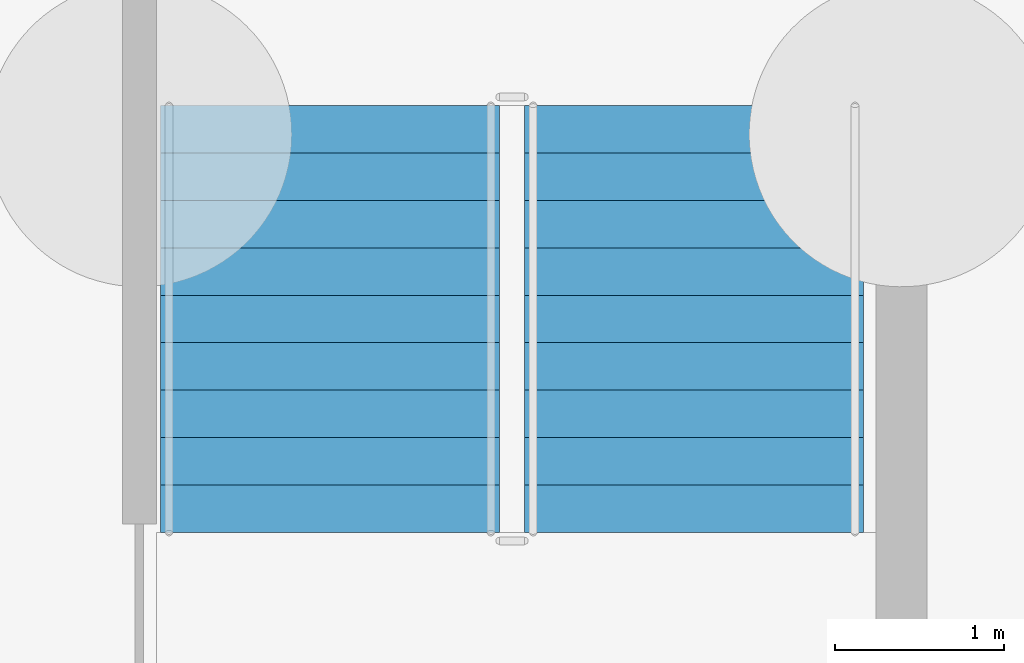
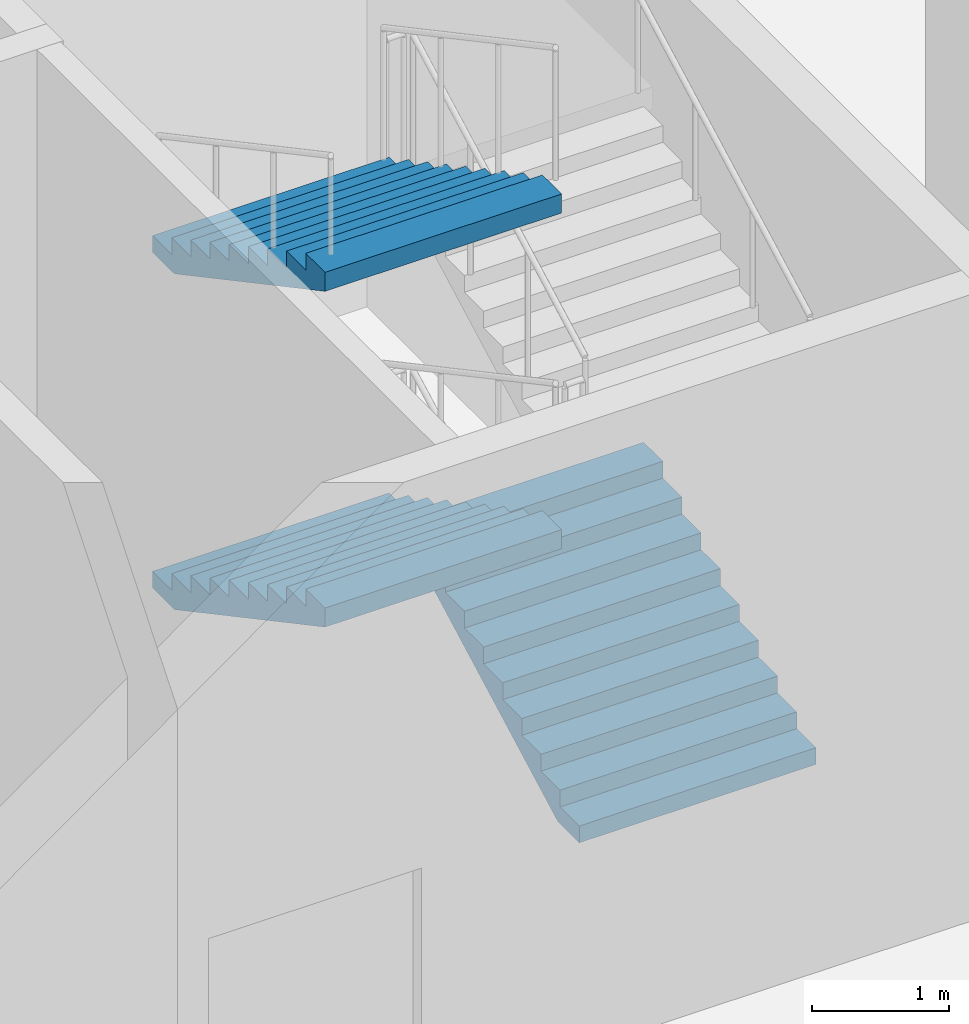
# One storey, part 12 of 25: 3 stair flights, 1 element without a shape of its own.
"""IFC4 building model written with IfcOpenShell, lengths in metres."""

import ifcopenshell
import ifcopenshell.guid

model = None  # the IFC model being written
_history = None  # IfcOwnerHistory: only IFC2X3 demands one
_inside = {}  # id of a spatial element -> (the spatial element, [elements in it])
_under = {}  # id of a project, library or spatial element -> (it, [spatial elements below it])
_declared = {}  # id of a project -> (the project, [libraries it declares])
_typed = {}  # id of a type object -> (the type object, [elements of that type])
_made_of = {}  # id of a material, layer set ... -> (it, [elements and type objects made of it])


def new_model(schema):
    """Start an empty IFC model of exactly this schema.

    Asked for "IFC4X3", IfcOpenShell would pick the latest addendum, in which some entities
    have other attributes; the version numbers below select the first issue.
    IFC2X3 requires an IfcOwnerHistory on every rooted entity: one is made here for all.
    """
    global model, _history
    if schema == "IFC4X3":
        model = ifcopenshell.file(schema_version=(4, 3, 0, 0))
    else:
        model = ifcopenshell.file(schema=schema)
    _inside.clear()
    _under.clear()
    _declared.clear()
    _typed.clear()
    _made_of.clear()
    _history = None
    if model.schema == "IFC2X3":
        org = make("IfcOrganization", Name="unknown")
        user = make(
            "IfcPersonAndOrganization",
            ThePerson=make("IfcPerson", FamilyName="unknown"),
            TheOrganization=org,
        )
        app = make(
            "IfcApplication",
            ApplicationDeveloper=org,
            Version="unknown",
            ApplicationFullName="unknown",
            ApplicationIdentifier="unknown",
        )
        _history = make(
            "IfcOwnerHistory",
            OwningUser=user,
            OwningApplication=app,
            ChangeAction="ADDED",
            CreationDate=0,
        )
    return model


def make(cls, **values):
    """One entity of the class cls with the attributes given. An attribute that is None is left unset."""
    return model.create_entity(
        cls, **{name: value for name, value in values.items() if value is not None}
    )


def rooted(cls, **values):
    """An entity with a GlobalId (a new one), such as an element, a storey or a relation."""
    return make(cls, GlobalId=ifcopenshell.guid.new(), OwnerHistory=_history, **values)


def si_unit(unit_type, name, prefix=None):
    """IfcSIUnit, for example si_unit("LENGTHUNIT", "METRE", prefix="MILLI")."""
    return make("IfcSIUnit", UnitType=unit_type, Prefix=prefix, Name=name)


def assignment(units):
    """IfcUnitAssignment: the units of a project."""
    return None if units is None else make("IfcUnitAssignment", Units=units)


def point(xyz):
    """IfcCartesianPoint."""
    return None if xyz is None else make("IfcCartesianPoint", Coordinates=xyz)


def direction(xyz):
    """IfcDirection."""
    return None if xyz is None else make("IfcDirection", DirectionRatios=xyz)


def frame(location, z_axis=None, x_axis=None):
    """IfcAxis2Placement3D, a coordinate frame: its origin and axes. An axis left out is left unset."""
    return make(
        "IfcAxis2Placement3D",
        Location=point(location),
        Axis=direction(z_axis),
        RefDirection=direction(x_axis),
    )


def origin():
    """The frame at (0, 0, 0) with its axes left unset."""
    return frame((0.0, 0.0, 0.0))


def place(relative_to, where):
    """IfcLocalPlacement: puts the frame where relative to a parent placement (None: the world)."""
    return make(
        "IfcLocalPlacement", PlacementRelTo=relative_to, RelativePlacement=where
    )


def context(
    kind, dimensions, precision=None, world=None, true_north=None, identifier=None
):
    """IfcGeometricRepresentationContext, for example the 3D "Model" context."""
    return make(
        "IfcGeometricRepresentationContext",
        ContextIdentifier=identifier,
        ContextType=kind,
        CoordinateSpaceDimension=dimensions,
        Precision=precision,
        WorldCoordinateSystem=world,
        TrueNorth=true_north,
    )


def subcontext(parent, identifier, kind, view, scale=None):
    """IfcGeometricRepresentationSubContext, for example "Body" below "Model"."""
    return make(
        "IfcGeometricRepresentationSubContext",
        ContextIdentifier=identifier,
        ContextType=kind,
        ParentContext=parent,
        TargetScale=scale,
        TargetView=view,
    )


def project(units=None, contexts=None):
    """IfcProject with its units and contexts."""
    return rooted(
        "IfcProject",
        Name="project",
        RepresentationContexts=contexts,
        UnitsInContext=assignment(units),
    )


def spatial(cls, under=None, at=None, **own):
    """A site, building, storey or space (cls), placed at a placement, below another one or the project."""
    s = rooted(cls, ObjectPlacement=at, **own)
    if under is not None:
        _under.setdefault(under.id(), (under, []))[1].append(s)
    return s


def point_list(points):
    """IfcCartesianPointList2D or 3D."""
    cls = (
        "IfcCartesianPointList2D" if len(points[0]) == 2 else "IfcCartesianPointList3D"
    )
    return make(cls, CoordList=points)


def polygons(points, faces, closed=None, point_numbers=None):
    """IfcPolygonalFaceSet: a face is its outer loop, then its inner loops; points numbered from 1."""
    made = []
    for loops in faces:
        if len(loops) == 1:
            made.append(make("IfcIndexedPolygonalFace", CoordIndex=loops[0]))
        else:
            made.append(
                make(
                    "IfcIndexedPolygonalFaceWithVoids",
                    CoordIndex=loops[0],
                    InnerCoordIndices=loops[1:],
                )
            )
    return make(
        "IfcPolygonalFaceSet",
        Coordinates=point_list(points),
        Closed=closed,
        Faces=made,
        PnIndex=point_numbers,
    )


def shape(context_of_items, identifier, shape_type, items):
    """IfcShapeRepresentation: the items that make up one representation, for example the "Body"."""
    return make(
        "IfcShapeRepresentation",
        ContextOfItems=context_of_items,
        RepresentationIdentifier=identifier,
        RepresentationType=shape_type,
        Items=items,
    )


def material(Name=None, Category=None):
    """IfcMaterial."""
    return make("IfcMaterial", Name=Name, Category=Category)


def made_of(thing, what):
    """Note that an element or type object is made of a material, layer set ...; save() writes the relation."""
    if what is not None:
        _made_of.setdefault(what.id(), (what, []))[1].append(thing)
    return thing


def type_object(cls, material=None, **own):
    """A type object (cls), such as IfcWallType, which elements share."""
    return made_of(rooted(cls, **own), material)


def element(
    cls,
    number,
    at=None,
    inside=None,
    cuts=None,
    type_object=None,
    material=None,
    context=None,
    identifier="Body",
    shape_type=None,
    held_by="IfcProductDefinitionShape",
    body=None,
    shapes=None,
    **own,
):
    """One element of the class cls, such as IfcWall. Its Tag is "e" and its number.

    at: its placement. inside: the storey or other place that contains it. cuts: it is an
    opening in that element (IfcRelVoidsElement). A single representation is given by context,
    identifier, shape_type and body (its items); several are given by shapes. held_by: the class
    of the entity that holds the representations. save() writes the other relations.
    """
    e = rooted(cls, Tag="e%d" % number, ObjectPlacement=at, **own)
    if body is not None:
        shapes = [shape(context, identifier, shape_type, body)]
    if shapes is not None:
        e.Representation = make(held_by, Representations=shapes)
    if inside is not None:
        _inside.setdefault(inside.id(), (inside, []))[1].append(e)
    if cuts is not None:
        rooted(
            "IfcRelVoidsElement", RelatingBuildingElement=cuts, RelatedOpeningElement=e
        )
    if type_object is not None:
        _typed.setdefault(type_object.id(), (type_object, []))[1].append(e)
    return made_of(e, material)


def aggregate(whole, parts):
    """IfcRelAggregates: a whole, such as a stair, and the parts it consists of."""
    return rooted("IfcRelAggregates", RelatingObject=whole, RelatedObjects=parts)


def save(model, path):
    """Write the relations noted so far, then the file.

    IfcRelAggregates (storeys below a building ...), IfcRelContainedInSpatialStructure (elements
    in a storey), IfcRelDefinesByType, IfcRelAssociatesMaterial and IfcRelDeclares: one each for
    every whole, place, type object, material and project.
    """
    for whole, parts in _under.values():
        aggregate(whole, parts)
    for where, things in _inside.values():
        rooted(
            "IfcRelContainedInSpatialStructure",
            RelatedElements=things,
            RelatingStructure=where,
        )
    for kind, things in _typed.values():
        rooted("IfcRelDefinesByType", RelatedObjects=things, RelatingType=kind)
    for what, things in _made_of.values():
        rooted("IfcRelAssociatesMaterial", RelatedObjects=things, RelatingMaterial=what)
    for by, libraries in _declared.values():
        rooted("IfcRelDeclares", RelatingContext=by, RelatedDefinitions=libraries)
    model.write(path)


model = new_model("IFC4")

# Units and contexts
model_context = context("Model", 3, precision=1e-05, world=origin(), true_north=direction((0.0, 1.0)))
body_context = subcontext(model_context, "Body", "Model", "MODEL_VIEW")
ifc_project = project(units=[si_unit("LENGTHUNIT", "METRE"), si_unit("AREAUNIT", "SQUARE_METRE"), si_unit("VOLUMEUNIT", "CUBIC_METRE"), si_unit("PLANEANGLEUNIT", "RADIAN"), si_unit("MASSUNIT", "GRAM", prefix="KILO")], contexts=[model_context])

# Site, building, storey
site_placement = place(None, origin())
site = spatial("IfcSite", under=ifc_project, at=site_placement, CompositionType="ELEMENT")
building_placement = place(site_placement, origin())
building = spatial("IfcBuilding", under=site, at=building_placement, Name="Caravel Reach Hotel and Residences", CompositionType="ELEMENT")
storey_placement = place(building_placement, frame((0.0, 0.0, -6.0)))
storey = spatial("IfcBuildingStorey", under=building, at=storey_placement, Name="B1", CompositionType="ELEMENT", Elevation=-6.0)

# Stair, stair flights
ifc_material_1 = material(Name="Concrete C40", Category="concrete")
stair_type = type_object("IfcStairType", Name="Core stair", PredefinedType="HALF_TURN_STAIR", material=ifc_material_1)
stair_placement = place(storey_placement, origin())
stair = element("IfcStair", 1, at=stair_placement, inside=storey, type_object=stair_type, Name="B1 Exit stair B", PredefinedType="HALF_TURN_STAIR")
ifc_material_2 = material(Name="Concrete C40", Category="concrete")
stair_flight_type = type_object("IfcStairFlightType", Name="Core stair flight", PredefinedType="STRAIGHT", material=ifc_material_2)
stair_flight_1_placement = place(storey_placement, frame((43.77490234375, 24.64990234375, 0.0), z_axis=(0.0, 0.0, 1.0), x_axis=(0.0, 1.0, 0.0)))
stair_flight_1 = element("IfcStairFlight", 2, at=stair_flight_1_placement, type_object=stair_flight_type, Name="ST-B flight 1", NumberOfRisers=10, NumberOfTreads=9, PredefinedType="STRAIGHT", RiserHeight=0.15, TreadLength=0.28, context=body_context, shape_type="Tessellation", body=[
    polygons([(0.3174408016601862, 1.0, 0.0), (0.3174408016601862, 0.6666666666666667, 0.0), (0.3174408016601862, 0.33333333333333337, 0.0), (0.3174408016601862, 0.0, 0.0), (0.3174408016601862, -0.33333333333333326, 0.0), (0.3174408016601862, -0.6666666666666667, 0.0), (0.3174408016601862, -1.0, 0.0), (2.5210000000000004, 1.0, 1.1799424276820432), (2.5210000000000004, 0.6666666666666667, 1.1799424276820432), (2.5210000000000004, 0.33333333333333337, 1.1799424276820432), (2.5210000000000004, 0.0, 1.1799424276820432), (2.5210000000000004, -0.33333333333333326, 1.1799424276820432), (2.5210000000000004, -0.6666666666666667, 1.1799424276820432), (2.5210000000000004, -1.0, 1.1799424276820432), (2.5210000000000004, 1.0, 1.3499999999999999), (2.5210000000000004, 0.6666666666666667, 1.3499999999999999), (2.5210000000000004, 0.33333333333333337, 1.3499999999999999), (2.5210000000000004, 0.0, 1.3499999999999999), (2.5210000000000004, -0.33333333333333326, 1.3499999999999999), (2.5210000000000004, -0.6666666666666667, 1.3499999999999999), (2.5210000000000004, -1.0, 1.3499999999999999), (2.24, 1.0, 1.3499999999999999), (2.24, 0.6666666666666667, 1.3499999999999999), (2.24, 0.33333333333333337, 1.3499999999999999), (2.24, 0.0, 1.3499999999999999), (2.24, -0.33333333333333326, 1.3499999999999999), (2.24, -0.6666666666666667, 1.3499999999999999), (2.24, -1.0, 1.3499999999999999), (2.24, 1.0, 1.2), (2.24, 0.6666666666666667, 1.2), (2.24, 0.33333333333333337, 1.2), (2.24, 0.0, 1.2), (2.24, -0.33333333333333326, 1.2), (2.24, -0.6666666666666667, 1.2), (2.24, -1.0, 1.2), (1.9600000000000002, 1.0, 1.2), (1.9600000000000002, 0.6666666666666667, 1.2), (1.9600000000000002, 0.33333333333333337, 1.2), (1.9600000000000002, 0.0, 1.2), (1.9600000000000002, -0.33333333333333326, 1.2), (1.9600000000000002, -0.6666666666666667, 1.2), (1.9600000000000002, -1.0, 1.2), (1.9600000000000002, 1.0, 1.05), (1.9600000000000002, 0.6666666666666667, 1.05), (1.9600000000000002, 0.33333333333333337, 1.05), (1.9600000000000002, 0.0, 1.05), (1.9600000000000002, -0.33333333333333326, 1.05), (1.9600000000000002, -0.6666666666666667, 1.05), (1.9600000000000002, -1.0, 1.05), (1.6800000000000002, 1.0, 1.05), (1.6800000000000002, 0.6666666666666667, 1.05), (1.6800000000000002, 0.33333333333333337, 1.05), (1.6800000000000002, 0.0, 1.05), (1.6800000000000002, -0.33333333333333326, 1.05), (1.6800000000000002, -0.6666666666666667, 1.05), (1.6800000000000002, -1.0, 1.05), (1.6800000000000002, 1.0, 0.8999999999999999), (1.6800000000000002, 0.6666666666666667, 0.8999999999999999), (1.6800000000000002, 0.33333333333333337, 0.8999999999999999), (1.6800000000000002, 0.0, 0.8999999999999999), (1.6800000000000002, -0.33333333333333326, 0.8999999999999999), (1.6800000000000002, -0.6666666666666667, 0.8999999999999999), (1.6800000000000002, -1.0, 0.8999999999999999), (1.4000000000000001, 1.0, 0.8999999999999999), (1.4000000000000001, 0.6666666666666667, 0.8999999999999999), (1.4000000000000001, 0.33333333333333337, 0.8999999999999999), (1.4000000000000001, 0.0, 0.8999999999999999), (1.4000000000000001, -0.33333333333333326, 0.8999999999999999), (1.4000000000000001, -0.6666666666666667, 0.8999999999999999), (1.4000000000000001, -1.0, 0.8999999999999999), (1.4000000000000001, 1.0, 0.75), (1.4000000000000001, 0.6666666666666667, 0.75), (1.4000000000000001, 0.33333333333333337, 0.75), (1.4000000000000001, 0.0, 0.75), (1.4000000000000001, -0.33333333333333326, 0.75), (1.4000000000000001, -0.6666666666666667, 0.75), (1.4000000000000001, -1.0, 0.75), (1.12, 1.0, 0.75), (1.12, 0.6666666666666667, 0.75), (1.12, 0.33333333333333337, 0.75), (1.12, 0.0, 0.75), (1.12, -0.33333333333333326, 0.75), (1.12, -0.6666666666666667, 0.75), (1.12, -1.0, 0.75), (1.12, 1.0, 0.6), (1.12, 0.6666666666666667, 0.6), (1.12, 0.33333333333333337, 0.6), (1.12, 0.0, 0.6), (1.12, -0.33333333333333326, 0.6), (1.12, -0.6666666666666667, 0.6), (1.12, -1.0, 0.6), (0.8400000000000001, 1.0, 0.6), (0.8400000000000001, 0.6666666666666667, 0.6), (0.8400000000000001, 0.33333333333333337, 0.6), (0.8400000000000001, 0.0, 0.6), (0.8400000000000001, -0.33333333333333326, 0.6), (0.8400000000000001, -0.6666666666666667, 0.6), (0.8400000000000001, -1.0, 0.6), (0.8400000000000001, 1.0, 0.44999999999999996), (0.8400000000000001, 0.6666666666666667, 0.44999999999999996), (0.8400000000000001, 0.33333333333333337, 0.44999999999999996), (0.8400000000000001, 0.0, 0.44999999999999996), (0.8400000000000001, -0.33333333333333326, 0.44999999999999996), (0.8400000000000001, -0.6666666666666667, 0.44999999999999996), (0.8400000000000001, -1.0, 0.44999999999999996), (0.56, 1.0, 0.44999999999999996), (0.56, 0.6666666666666667, 0.44999999999999996), (0.56, 0.33333333333333337, 0.44999999999999996), (0.56, 0.0, 0.44999999999999996), (0.56, -0.33333333333333326, 0.44999999999999996), (0.56, -0.6666666666666667, 0.44999999999999996), (0.56, -1.0, 0.44999999999999996), (0.56, 1.0, 0.3), (0.56, 0.6666666666666667, 0.3), (0.56, 0.33333333333333337, 0.3), (0.56, 0.0, 0.3), (0.56, -0.33333333333333326, 0.3), (0.56, -0.6666666666666667, 0.3), (0.56, -1.0, 0.3), (0.28, 1.0, 0.3), (0.28, 0.6666666666666667, 0.3), (0.28, 0.33333333333333337, 0.3), (0.28, 0.0, 0.3), (0.28, -0.33333333333333326, 0.3), (0.28, -0.6666666666666667, 0.3), (0.28, -1.0, 0.3), (0.28, 1.0, 0.15), (0.28, 0.6666666666666667, 0.15), (0.28, 0.33333333333333337, 0.15), (0.28, 0.0, 0.15), (0.28, -0.33333333333333326, 0.15), (0.28, -0.6666666666666667, 0.15), (0.28, -1.0, 0.15), (-0.001, 1.0, 0.15), (-0.001, 0.6666666666666667, 0.15), (-0.001, 0.33333333333333337, 0.15), (-0.001, 0.0, 0.15), (-0.001, -0.33333333333333326, 0.15), (-0.001, -0.6666666666666667, 0.15), (-0.001, -1.0, 0.15), (-0.001, 1.0, 0.0), (-0.001, 0.6666666666666667, 0.0), (-0.001, 0.33333333333333337, 0.0), (-0.001, 0.0, 0.0), (-0.001, -0.33333333333333326, 0.0), (-0.001, -0.6666666666666667, 0.0), (-0.001, -1.0, 0.0)], [[[141, 134, 127, 120, 113, 106, 99, 92, 85, 78, 71, 64, 57, 50, 43, 36, 29, 22, 15, 8, 1]], [[7, 14, 21, 28, 35, 42, 49, 56, 63, 70, 77, 84, 91, 98, 105, 112, 119, 126, 133, 140, 147]], [[1, 8, 9, 2]], [[2, 9, 10, 3]], [[3, 10, 11, 4]], [[4, 11, 12, 5]], [[5, 12, 13, 6]], [[6, 13, 14, 7]], [[8, 15, 16, 9]], [[9, 16, 17, 10]], [[10, 17, 18, 11]], [[11, 18, 19, 12]], [[12, 19, 20, 13]], [[13, 20, 21, 14]], [[15, 22, 23, 16]], [[16, 23, 24, 17]], [[17, 24, 25, 18]], [[18, 25, 26, 19]], [[19, 26, 27, 20]], [[20, 27, 28, 21]], [[22, 29, 30, 23]], [[23, 30, 31, 24]], [[24, 31, 32, 25]], [[25, 32, 33, 26]], [[26, 33, 34, 27]], [[27, 34, 35, 28]], [[29, 36, 37, 30]], [[30, 37, 38, 31]], [[31, 38, 39, 32]], [[32, 39, 40, 33]], [[33, 40, 41, 34]], [[34, 41, 42, 35]], [[36, 43, 44, 37]], [[37, 44, 45, 38]], [[38, 45, 46, 39]], [[39, 46, 47, 40]], [[40, 47, 48, 41]], [[41, 48, 49, 42]], [[43, 50, 51, 44]], [[44, 51, 52, 45]], [[45, 52, 53, 46]], [[46, 53, 54, 47]], [[47, 54, 55, 48]], [[48, 55, 56, 49]], [[50, 57, 58, 51]], [[51, 58, 59, 52]], [[52, 59, 60, 53]], [[53, 60, 61, 54]], [[54, 61, 62, 55]], [[55, 62, 63, 56]], [[57, 64, 65, 58]], [[58, 65, 66, 59]], [[59, 66, 67, 60]], [[60, 67, 68, 61]], [[61, 68, 69, 62]], [[62, 69, 70, 63]], [[64, 71, 72, 65]], [[65, 72, 73, 66]], [[66, 73, 74, 67]], [[67, 74, 75, 68]], [[68, 75, 76, 69]], [[69, 76, 77, 70]], [[71, 78, 79, 72]], [[72, 79, 80, 73]], [[73, 80, 81, 74]], [[74, 81, 82, 75]], [[75, 82, 83, 76]], [[76, 83, 84, 77]], [[78, 85, 86, 79]], [[79, 86, 87, 80]], [[80, 87, 88, 81]], [[81, 88, 89, 82]], [[82, 89, 90, 83]], [[83, 90, 91, 84]], [[85, 92, 93, 86]], [[86, 93, 94, 87]], [[87, 94, 95, 88]], [[88, 95, 96, 89]], [[89, 96, 97, 90]], [[90, 97, 98, 91]], [[92, 99, 100, 93]], [[93, 100, 101, 94]], [[94, 101, 102, 95]], [[95, 102, 103, 96]], [[96, 103, 104, 97]], [[97, 104, 105, 98]], [[99, 106, 107, 100]], [[100, 107, 108, 101]], [[101, 108, 109, 102]], [[102, 109, 110, 103]], [[103, 110, 111, 104]], [[104, 111, 112, 105]], [[106, 113, 114, 107]], [[107, 114, 115, 108]], [[108, 115, 116, 109]], [[109, 116, 117, 110]], [[110, 117, 118, 111]], [[111, 118, 119, 112]], [[113, 120, 121, 114]], [[114, 121, 122, 115]], [[115, 122, 123, 116]], [[116, 123, 124, 117]], [[117, 124, 125, 118]], [[118, 125, 126, 119]], [[120, 127, 128, 121]], [[121, 128, 129, 122]], [[122, 129, 130, 123]], [[123, 130, 131, 124]], [[124, 131, 132, 125]], [[125, 132, 133, 126]], [[127, 134, 135, 128]], [[128, 135, 136, 129]], [[129, 136, 137, 130]], [[130, 137, 138, 131]], [[131, 138, 139, 132]], [[132, 139, 140, 133]], [[134, 141, 142, 135]], [[135, 142, 143, 136]], [[136, 143, 144, 137]], [[137, 144, 145, 138]], [[138, 145, 146, 139]], [[139, 146, 147, 140]], [[141, 1, 2, 142]], [[142, 2, 3, 143]], [[143, 3, 4, 144]], [[144, 4, 5, 145]], [[145, 5, 6, 146]], [[146, 6, 7, 147]]], closed=True),
])
stair_flight_2_placement = place(storey_placement, frame((41.625, 27.169921875, 1.5), z_axis=(0.0, 0.0, 1.0), x_axis=(0.0, -1.0, 0.0)))
stair_flight_2 = element("IfcStairFlight", 3, at=stair_flight_2_placement, type_object=stair_flight_type, Name="ST-B flight 2", NumberOfRisers=10, NumberOfTreads=9, PredefinedType="STRAIGHT", RiserHeight=0.15, TreadLength=0.28, context=body_context, shape_type="Tessellation", body=[
    polygons([(0.3174408016601862, 1.0, 0.0), (0.3174408016601862, 0.6666666666666667, 0.0), (0.3174408016601862, 0.33333333333333337, 0.0), (0.3174408016601862, 0.0, 0.0), (0.3174408016601862, -0.33333333333333326, 0.0), (0.3174408016601862, -0.6666666666666667, 0.0), (0.3174408016601862, -1.0, 0.0), (2.5210000000000004, 1.0, 1.1799424276820432), (2.5210000000000004, 0.6666666666666667, 1.1799424276820432), (2.5210000000000004, 0.33333333333333337, 1.1799424276820432), (2.5210000000000004, 0.0, 1.1799424276820432), (2.5210000000000004, -0.33333333333333326, 1.1799424276820432), (2.5210000000000004, -0.6666666666666667, 1.1799424276820432), (2.5210000000000004, -1.0, 1.1799424276820432), (2.5210000000000004, 1.0, 1.3499999999999999), (2.5210000000000004, 0.6666666666666667, 1.3499999999999999), (2.5210000000000004, 0.33333333333333337, 1.3499999999999999), (2.5210000000000004, 0.0, 1.3499999999999999), (2.5210000000000004, -0.33333333333333326, 1.3499999999999999), (2.5210000000000004, -0.6666666666666667, 1.3499999999999999), (2.5210000000000004, -1.0, 1.3499999999999999), (2.24, 1.0, 1.3499999999999999), (2.24, 0.6666666666666667, 1.3499999999999999), (2.24, 0.33333333333333337, 1.3499999999999999), (2.24, 0.0, 1.3499999999999999), (2.24, -0.33333333333333326, 1.3499999999999999), (2.24, -0.6666666666666667, 1.3499999999999999), (2.24, -1.0, 1.3499999999999999), (2.24, 1.0, 1.2), (2.24, 0.6666666666666667, 1.2), (2.24, 0.33333333333333337, 1.2), (2.24, 0.0, 1.2), (2.24, -0.33333333333333326, 1.2), (2.24, -0.6666666666666667, 1.2), (2.24, -1.0, 1.2), (1.9600000000000002, 1.0, 1.2), (1.9600000000000002, 0.6666666666666667, 1.2), (1.9600000000000002, 0.33333333333333337, 1.2), (1.9600000000000002, 0.0, 1.2), (1.9600000000000002, -0.33333333333333326, 1.2), (1.9600000000000002, -0.6666666666666667, 1.2), (1.9600000000000002, -1.0, 1.2), (1.9600000000000002, 1.0, 1.05), (1.9600000000000002, 0.6666666666666667, 1.05), (1.9600000000000002, 0.33333333333333337, 1.05), (1.9600000000000002, 0.0, 1.05), (1.9600000000000002, -0.33333333333333326, 1.05), (1.9600000000000002, -0.6666666666666667, 1.05), (1.9600000000000002, -1.0, 1.05), (1.6800000000000002, 1.0, 1.05), (1.6800000000000002, 0.6666666666666667, 1.05), (1.6800000000000002, 0.33333333333333337, 1.05), (1.6800000000000002, 0.0, 1.05), (1.6800000000000002, -0.33333333333333326, 1.05), (1.6800000000000002, -0.6666666666666667, 1.05), (1.6800000000000002, -1.0, 1.05), (1.6800000000000002, 1.0, 0.8999999999999999), (1.6800000000000002, 0.6666666666666667, 0.8999999999999999), (1.6800000000000002, 0.33333333333333337, 0.8999999999999999), (1.6800000000000002, 0.0, 0.8999999999999999), (1.6800000000000002, -0.33333333333333326, 0.8999999999999999), (1.6800000000000002, -0.6666666666666667, 0.8999999999999999), (1.6800000000000002, -1.0, 0.8999999999999999), (1.4000000000000001, 1.0, 0.8999999999999999), (1.4000000000000001, 0.6666666666666667, 0.8999999999999999), (1.4000000000000001, 0.33333333333333337, 0.8999999999999999), (1.4000000000000001, 0.0, 0.8999999999999999), (1.4000000000000001, -0.33333333333333326, 0.8999999999999999), (1.4000000000000001, -0.6666666666666667, 0.8999999999999999), (1.4000000000000001, -1.0, 0.8999999999999999), (1.4000000000000001, 1.0, 0.75), (1.4000000000000001, 0.6666666666666667, 0.75), (1.4000000000000001, 0.33333333333333337, 0.75), (1.4000000000000001, 0.0, 0.75), (1.4000000000000001, -0.33333333333333326, 0.75), (1.4000000000000001, -0.6666666666666667, 0.75), (1.4000000000000001, -1.0, 0.75), (1.12, 1.0, 0.75), (1.12, 0.6666666666666667, 0.75), (1.12, 0.33333333333333337, 0.75), (1.12, 0.0, 0.75), (1.12, -0.33333333333333326, 0.75), (1.12, -0.6666666666666667, 0.75), (1.12, -1.0, 0.75), (1.12, 1.0, 0.6), (1.12, 0.6666666666666667, 0.6), (1.12, 0.33333333333333337, 0.6), (1.12, 0.0, 0.6), (1.12, -0.33333333333333326, 0.6), (1.12, -0.6666666666666667, 0.6), (1.12, -1.0, 0.6), (0.8400000000000001, 1.0, 0.6), (0.8400000000000001, 0.6666666666666667, 0.6), (0.8400000000000001, 0.33333333333333337, 0.6), (0.8400000000000001, 0.0, 0.6), (0.8400000000000001, -0.33333333333333326, 0.6), (0.8400000000000001, -0.6666666666666667, 0.6), (0.8400000000000001, -1.0, 0.6), (0.8400000000000001, 1.0, 0.44999999999999996), (0.8400000000000001, 0.6666666666666667, 0.44999999999999996), (0.8400000000000001, 0.33333333333333337, 0.44999999999999996), (0.8400000000000001, 0.0, 0.44999999999999996), (0.8400000000000001, -0.33333333333333326, 0.44999999999999996), (0.8400000000000001, -0.6666666666666667, 0.44999999999999996), (0.8400000000000001, -1.0, 0.44999999999999996), (0.56, 1.0, 0.44999999999999996), (0.56, 0.6666666666666667, 0.44999999999999996), (0.56, 0.33333333333333337, 0.44999999999999996), (0.56, 0.0, 0.44999999999999996), (0.56, -0.33333333333333326, 0.44999999999999996), (0.56, -0.6666666666666667, 0.44999999999999996), (0.56, -1.0, 0.44999999999999996), (0.56, 1.0, 0.3), (0.56, 0.6666666666666667, 0.3), (0.56, 0.33333333333333337, 0.3), (0.56, 0.0, 0.3), (0.56, -0.33333333333333326, 0.3), (0.56, -0.6666666666666667, 0.3), (0.56, -1.0, 0.3), (0.28, 1.0, 0.3), (0.28, 0.6666666666666667, 0.3), (0.28, 0.33333333333333337, 0.3), (0.28, 0.0, 0.3), (0.28, -0.33333333333333326, 0.3), (0.28, -0.6666666666666667, 0.3), (0.28, -1.0, 0.3), (0.28, 1.0, 0.15), (0.28, 0.6666666666666667, 0.15), (0.28, 0.33333333333333337, 0.15), (0.28, 0.0, 0.15), (0.28, -0.33333333333333326, 0.15), (0.28, -0.6666666666666667, 0.15), (0.28, -1.0, 0.15), (-0.001, 1.0, 0.15), (-0.001, 0.6666666666666667, 0.15), (-0.001, 0.33333333333333337, 0.15), (-0.001, 0.0, 0.15), (-0.001, -0.33333333333333326, 0.15), (-0.001, -0.6666666666666667, 0.15), (-0.001, -1.0, 0.15), (-0.001, 1.0, 0.0), (-0.001, 0.6666666666666667, 0.0), (-0.001, 0.33333333333333337, 0.0), (-0.001, 0.0, 0.0), (-0.001, -0.33333333333333326, 0.0), (-0.001, -0.6666666666666667, 0.0), (-0.001, -1.0, 0.0)], [[[141, 134, 127, 120, 113, 106, 99, 92, 85, 78, 71, 64, 57, 50, 43, 36, 29, 22, 15, 8, 1]], [[7, 14, 21, 28, 35, 42, 49, 56, 63, 70, 77, 84, 91, 98, 105, 112, 119, 126, 133, 140, 147]], [[1, 8, 9, 2]], [[2, 9, 10, 3]], [[3, 10, 11, 4]], [[4, 11, 12, 5]], [[5, 12, 13, 6]], [[6, 13, 14, 7]], [[8, 15, 16, 9]], [[9, 16, 17, 10]], [[10, 17, 18, 11]], [[11, 18, 19, 12]], [[12, 19, 20, 13]], [[13, 20, 21, 14]], [[15, 22, 23, 16]], [[16, 23, 24, 17]], [[17, 24, 25, 18]], [[18, 25, 26, 19]], [[19, 26, 27, 20]], [[20, 27, 28, 21]], [[22, 29, 30, 23]], [[23, 30, 31, 24]], [[24, 31, 32, 25]], [[25, 32, 33, 26]], [[26, 33, 34, 27]], [[27, 34, 35, 28]], [[29, 36, 37, 30]], [[30, 37, 38, 31]], [[31, 38, 39, 32]], [[32, 39, 40, 33]], [[33, 40, 41, 34]], [[34, 41, 42, 35]], [[36, 43, 44, 37]], [[37, 44, 45, 38]], [[38, 45, 46, 39]], [[39, 46, 47, 40]], [[40, 47, 48, 41]], [[41, 48, 49, 42]], [[43, 50, 51, 44]], [[44, 51, 52, 45]], [[45, 52, 53, 46]], [[46, 53, 54, 47]], [[47, 54, 55, 48]], [[48, 55, 56, 49]], [[50, 57, 58, 51]], [[51, 58, 59, 52]], [[52, 59, 60, 53]], [[53, 60, 61, 54]], [[54, 61, 62, 55]], [[55, 62, 63, 56]], [[57, 64, 65, 58]], [[58, 65, 66, 59]], [[59, 66, 67, 60]], [[60, 67, 68, 61]], [[61, 68, 69, 62]], [[62, 69, 70, 63]], [[64, 71, 72, 65]], [[65, 72, 73, 66]], [[66, 73, 74, 67]], [[67, 74, 75, 68]], [[68, 75, 76, 69]], [[69, 76, 77, 70]], [[71, 78, 79, 72]], [[72, 79, 80, 73]], [[73, 80, 81, 74]], [[74, 81, 82, 75]], [[75, 82, 83, 76]], [[76, 83, 84, 77]], [[78, 85, 86, 79]], [[79, 86, 87, 80]], [[80, 87, 88, 81]], [[81, 88, 89, 82]], [[82, 89, 90, 83]], [[83, 90, 91, 84]], [[85, 92, 93, 86]], [[86, 93, 94, 87]], [[87, 94, 95, 88]], [[88, 95, 96, 89]], [[89, 96, 97, 90]], [[90, 97, 98, 91]], [[92, 99, 100, 93]], [[93, 100, 101, 94]], [[94, 101, 102, 95]], [[95, 102, 103, 96]], [[96, 103, 104, 97]], [[97, 104, 105, 98]], [[99, 106, 107, 100]], [[100, 107, 108, 101]], [[101, 108, 109, 102]], [[102, 109, 110, 103]], [[103, 110, 111, 104]], [[104, 111, 112, 105]], [[106, 113, 114, 107]], [[107, 114, 115, 108]], [[108, 115, 116, 109]], [[109, 116, 117, 110]], [[110, 117, 118, 111]], [[111, 118, 119, 112]], [[113, 120, 121, 114]], [[114, 121, 122, 115]], [[115, 122, 123, 116]], [[116, 123, 124, 117]], [[117, 124, 125, 118]], [[118, 125, 126, 119]], [[120, 127, 128, 121]], [[121, 128, 129, 122]], [[122, 129, 130, 123]], [[123, 130, 131, 124]], [[124, 131, 132, 125]], [[125, 132, 133, 126]], [[127, 134, 135, 128]], [[128, 135, 136, 129]], [[129, 136, 137, 130]], [[130, 137, 138, 131]], [[131, 138, 139, 132]], [[132, 139, 140, 133]], [[134, 141, 142, 135]], [[135, 142, 143, 136]], [[136, 143, 144, 137]], [[137, 144, 145, 138]], [[138, 145, 146, 139]], [[139, 146, 147, 140]], [[141, 1, 2, 142]], [[142, 2, 3, 143]], [[143, 3, 4, 144]], [[144, 4, 5, 145]], [[145, 5, 6, 146]], [[146, 6, 7, 147]]], closed=True),
])
stair_flight_3_placement = place(storey_placement, frame((41.625, 27.169921875, 4.5), z_axis=(0.0, 0.0, 1.0), x_axis=(0.0, -1.0, 0.0)))
stair_flight_3 = element("IfcStairFlight", 4, at=stair_flight_3_placement, type_object=stair_flight_type, Name="ST-B flight 4", NumberOfRisers=10, NumberOfTreads=9, PredefinedType="STRAIGHT", RiserHeight=0.15, TreadLength=0.28, context=body_context, shape_type="Tessellation", body=[
    polygons([(0.3174408016601862, 1.0, 0.0), (0.3174408016601862, 0.6666666666666667, 0.0), (0.3174408016601862, 0.33333333333333337, 0.0), (0.3174408016601862, 0.0, 0.0), (0.3174408016601862, -0.33333333333333326, 0.0), (0.3174408016601862, -0.6666666666666667, 0.0), (0.3174408016601862, -1.0, 0.0), (2.5210000000000004, 1.0, 1.1799424276820432), (2.5210000000000004, 0.6666666666666667, 1.1799424276820432), (2.5210000000000004, 0.33333333333333337, 1.1799424276820432), (2.5210000000000004, 0.0, 1.1799424276820432), (2.5210000000000004, -0.33333333333333326, 1.1799424276820432), (2.5210000000000004, -0.6666666666666667, 1.1799424276820432), (2.5210000000000004, -1.0, 1.1799424276820432), (2.5210000000000004, 1.0, 1.3499999999999999), (2.5210000000000004, 0.6666666666666667, 1.3499999999999999), (2.5210000000000004, 0.33333333333333337, 1.3499999999999999), (2.5210000000000004, 0.0, 1.3499999999999999), (2.5210000000000004, -0.33333333333333326, 1.3499999999999999), (2.5210000000000004, -0.6666666666666667, 1.3499999999999999), (2.5210000000000004, -1.0, 1.3499999999999999), (2.24, 1.0, 1.3499999999999999), (2.24, 0.6666666666666667, 1.3499999999999999), (2.24, 0.33333333333333337, 1.3499999999999999), (2.24, 0.0, 1.3499999999999999), (2.24, -0.33333333333333326, 1.3499999999999999), (2.24, -0.6666666666666667, 1.3499999999999999), (2.24, -1.0, 1.3499999999999999), (2.24, 1.0, 1.2), (2.24, 0.6666666666666667, 1.2), (2.24, 0.33333333333333337, 1.2), (2.24, 0.0, 1.2), (2.24, -0.33333333333333326, 1.2), (2.24, -0.6666666666666667, 1.2), (2.24, -1.0, 1.2), (1.9600000000000002, 1.0, 1.2), (1.9600000000000002, 0.6666666666666667, 1.2), (1.9600000000000002, 0.33333333333333337, 1.2), (1.9600000000000002, 0.0, 1.2), (1.9600000000000002, -0.33333333333333326, 1.2), (1.9600000000000002, -0.6666666666666667, 1.2), (1.9600000000000002, -1.0, 1.2), (1.9600000000000002, 1.0, 1.05), (1.9600000000000002, 0.6666666666666667, 1.05), (1.9600000000000002, 0.33333333333333337, 1.05), (1.9600000000000002, 0.0, 1.05), (1.9600000000000002, -0.33333333333333326, 1.05), (1.9600000000000002, -0.6666666666666667, 1.05), (1.9600000000000002, -1.0, 1.05), (1.6800000000000002, 1.0, 1.05), (1.6800000000000002, 0.6666666666666667, 1.05), (1.6800000000000002, 0.33333333333333337, 1.05), (1.6800000000000002, 0.0, 1.05), (1.6800000000000002, -0.33333333333333326, 1.05), (1.6800000000000002, -0.6666666666666667, 1.05), (1.6800000000000002, -1.0, 1.05), (1.6800000000000002, 1.0, 0.8999999999999999), (1.6800000000000002, 0.6666666666666667, 0.8999999999999999), (1.6800000000000002, 0.33333333333333337, 0.8999999999999999), (1.6800000000000002, 0.0, 0.8999999999999999), (1.6800000000000002, -0.33333333333333326, 0.8999999999999999), (1.6800000000000002, -0.6666666666666667, 0.8999999999999999), (1.6800000000000002, -1.0, 0.8999999999999999), (1.4000000000000001, 1.0, 0.8999999999999999), (1.4000000000000001, 0.6666666666666667, 0.8999999999999999), (1.4000000000000001, 0.33333333333333337, 0.8999999999999999), (1.4000000000000001, 0.0, 0.8999999999999999), (1.4000000000000001, -0.33333333333333326, 0.8999999999999999), (1.4000000000000001, -0.6666666666666667, 0.8999999999999999), (1.4000000000000001, -1.0, 0.8999999999999999), (1.4000000000000001, 1.0, 0.75), (1.4000000000000001, 0.6666666666666667, 0.75), (1.4000000000000001, 0.33333333333333337, 0.75), (1.4000000000000001, 0.0, 0.75), (1.4000000000000001, -0.33333333333333326, 0.75), (1.4000000000000001, -0.6666666666666667, 0.75), (1.4000000000000001, -1.0, 0.75), (1.12, 1.0, 0.75), (1.12, 0.6666666666666667, 0.75), (1.12, 0.33333333333333337, 0.75), (1.12, 0.0, 0.75), (1.12, -0.33333333333333326, 0.75), (1.12, -0.6666666666666667, 0.75), (1.12, -1.0, 0.75), (1.12, 1.0, 0.6), (1.12, 0.6666666666666667, 0.6), (1.12, 0.33333333333333337, 0.6), (1.12, 0.0, 0.6), (1.12, -0.33333333333333326, 0.6), (1.12, -0.6666666666666667, 0.6), (1.12, -1.0, 0.6), (0.8400000000000001, 1.0, 0.6), (0.8400000000000001, 0.6666666666666667, 0.6), (0.8400000000000001, 0.33333333333333337, 0.6), (0.8400000000000001, 0.0, 0.6), (0.8400000000000001, -0.33333333333333326, 0.6), (0.8400000000000001, -0.6666666666666667, 0.6), (0.8400000000000001, -1.0, 0.6), (0.8400000000000001, 1.0, 0.44999999999999996), (0.8400000000000001, 0.6666666666666667, 0.44999999999999996), (0.8400000000000001, 0.33333333333333337, 0.44999999999999996), (0.8400000000000001, 0.0, 0.44999999999999996), (0.8400000000000001, -0.33333333333333326, 0.44999999999999996), (0.8400000000000001, -0.6666666666666667, 0.44999999999999996), (0.8400000000000001, -1.0, 0.44999999999999996), (0.56, 1.0, 0.44999999999999996), (0.56, 0.6666666666666667, 0.44999999999999996), (0.56, 0.33333333333333337, 0.44999999999999996), (0.56, 0.0, 0.44999999999999996), (0.56, -0.33333333333333326, 0.44999999999999996), (0.56, -0.6666666666666667, 0.44999999999999996), (0.56, -1.0, 0.44999999999999996), (0.56, 1.0, 0.3), (0.56, 0.6666666666666667, 0.3), (0.56, 0.33333333333333337, 0.3), (0.56, 0.0, 0.3), (0.56, -0.33333333333333326, 0.3), (0.56, -0.6666666666666667, 0.3), (0.56, -1.0, 0.3), (0.28, 1.0, 0.3), (0.28, 0.6666666666666667, 0.3), (0.28, 0.33333333333333337, 0.3), (0.28, 0.0, 0.3), (0.28, -0.33333333333333326, 0.3), (0.28, -0.6666666666666667, 0.3), (0.28, -1.0, 0.3), (0.28, 1.0, 0.15), (0.28, 0.6666666666666667, 0.15), (0.28, 0.33333333333333337, 0.15), (0.28, 0.0, 0.15), (0.28, -0.33333333333333326, 0.15), (0.28, -0.6666666666666667, 0.15), (0.28, -1.0, 0.15), (-0.001, 1.0, 0.15), (-0.001, 0.6666666666666667, 0.15), (-0.001, 0.33333333333333337, 0.15), (-0.001, 0.0, 0.15), (-0.001, -0.33333333333333326, 0.15), (-0.001, -0.6666666666666667, 0.15), (-0.001, -1.0, 0.15), (-0.001, 1.0, 0.0), (-0.001, 0.6666666666666667, 0.0), (-0.001, 0.33333333333333337, 0.0), (-0.001, 0.0, 0.0), (-0.001, -0.33333333333333326, 0.0), (-0.001, -0.6666666666666667, 0.0), (-0.001, -1.0, 0.0)], [[[141, 134, 127, 120, 113, 106, 99, 92, 85, 78, 71, 64, 57, 50, 43, 36, 29, 22, 15, 8, 1]], [[7, 14, 21, 28, 35, 42, 49, 56, 63, 70, 77, 84, 91, 98, 105, 112, 119, 126, 133, 140, 147]], [[1, 8, 9, 2]], [[2, 9, 10, 3]], [[3, 10, 11, 4]], [[4, 11, 12, 5]], [[5, 12, 13, 6]], [[6, 13, 14, 7]], [[8, 15, 16, 9]], [[9, 16, 17, 10]], [[10, 17, 18, 11]], [[11, 18, 19, 12]], [[12, 19, 20, 13]], [[13, 20, 21, 14]], [[15, 22, 23, 16]], [[16, 23, 24, 17]], [[17, 24, 25, 18]], [[18, 25, 26, 19]], [[19, 26, 27, 20]], [[20, 27, 28, 21]], [[22, 29, 30, 23]], [[23, 30, 31, 24]], [[24, 31, 32, 25]], [[25, 32, 33, 26]], [[26, 33, 34, 27]], [[27, 34, 35, 28]], [[29, 36, 37, 30]], [[30, 37, 38, 31]], [[31, 38, 39, 32]], [[32, 39, 40, 33]], [[33, 40, 41, 34]], [[34, 41, 42, 35]], [[36, 43, 44, 37]], [[37, 44, 45, 38]], [[38, 45, 46, 39]], [[39, 46, 47, 40]], [[40, 47, 48, 41]], [[41, 48, 49, 42]], [[43, 50, 51, 44]], [[44, 51, 52, 45]], [[45, 52, 53, 46]], [[46, 53, 54, 47]], [[47, 54, 55, 48]], [[48, 55, 56, 49]], [[50, 57, 58, 51]], [[51, 58, 59, 52]], [[52, 59, 60, 53]], [[53, 60, 61, 54]], [[54, 61, 62, 55]], [[55, 62, 63, 56]], [[57, 64, 65, 58]], [[58, 65, 66, 59]], [[59, 66, 67, 60]], [[60, 67, 68, 61]], [[61, 68, 69, 62]], [[62, 69, 70, 63]], [[64, 71, 72, 65]], [[65, 72, 73, 66]], [[66, 73, 74, 67]], [[67, 74, 75, 68]], [[68, 75, 76, 69]], [[69, 76, 77, 70]], [[71, 78, 79, 72]], [[72, 79, 80, 73]], [[73, 80, 81, 74]], [[74, 81, 82, 75]], [[75, 82, 83, 76]], [[76, 83, 84, 77]], [[78, 85, 86, 79]], [[79, 86, 87, 80]], [[80, 87, 88, 81]], [[81, 88, 89, 82]], [[82, 89, 90, 83]], [[83, 90, 91, 84]], [[85, 92, 93, 86]], [[86, 93, 94, 87]], [[87, 94, 95, 88]], [[88, 95, 96, 89]], [[89, 96, 97, 90]], [[90, 97, 98, 91]], [[92, 99, 100, 93]], [[93, 100, 101, 94]], [[94, 101, 102, 95]], [[95, 102, 103, 96]], [[96, 103, 104, 97]], [[97, 104, 105, 98]], [[99, 106, 107, 100]], [[100, 107, 108, 101]], [[101, 108, 109, 102]], [[102, 109, 110, 103]], [[103, 110, 111, 104]], [[104, 111, 112, 105]], [[106, 113, 114, 107]], [[107, 114, 115, 108]], [[108, 115, 116, 109]], [[109, 116, 117, 110]], [[110, 117, 118, 111]], [[111, 118, 119, 112]], [[113, 120, 121, 114]], [[114, 121, 122, 115]], [[115, 122, 123, 116]], [[116, 123, 124, 117]], [[117, 124, 125, 118]], [[118, 125, 126, 119]], [[120, 127, 128, 121]], [[121, 128, 129, 122]], [[122, 129, 130, 123]], [[123, 130, 131, 124]], [[124, 131, 132, 125]], [[125, 132, 133, 126]], [[127, 134, 135, 128]], [[128, 135, 136, 129]], [[129, 136, 137, 130]], [[130, 137, 138, 131]], [[131, 138, 139, 132]], [[132, 139, 140, 133]], [[134, 141, 142, 135]], [[135, 142, 143, 136]], [[136, 143, 144, 137]], [[137, 144, 145, 138]], [[138, 145, 146, 139]], [[139, 146, 147, 140]], [[141, 1, 2, 142]], [[142, 2, 3, 143]], [[143, 3, 4, 144]], [[144, 4, 5, 145]], [[145, 5, 6, 146]], [[146, 6, 7, 147]]], closed=True),
])
aggregate(stair, [stair_flight_1, stair_flight_2, stair_flight_3])

save(model, "model.ifc")
